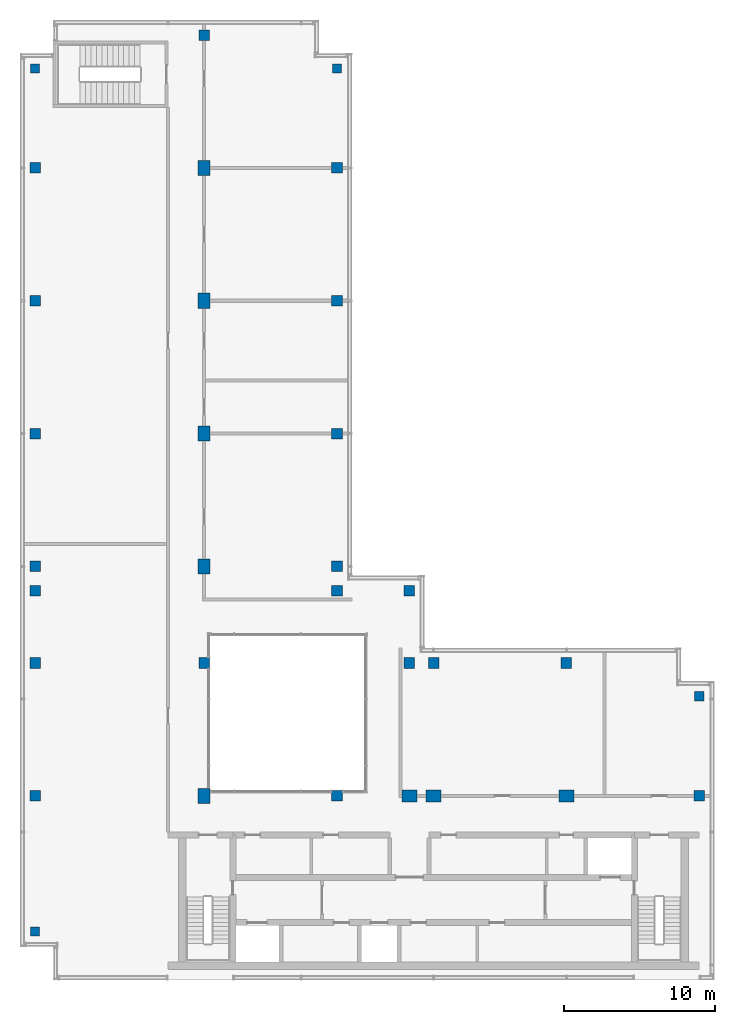
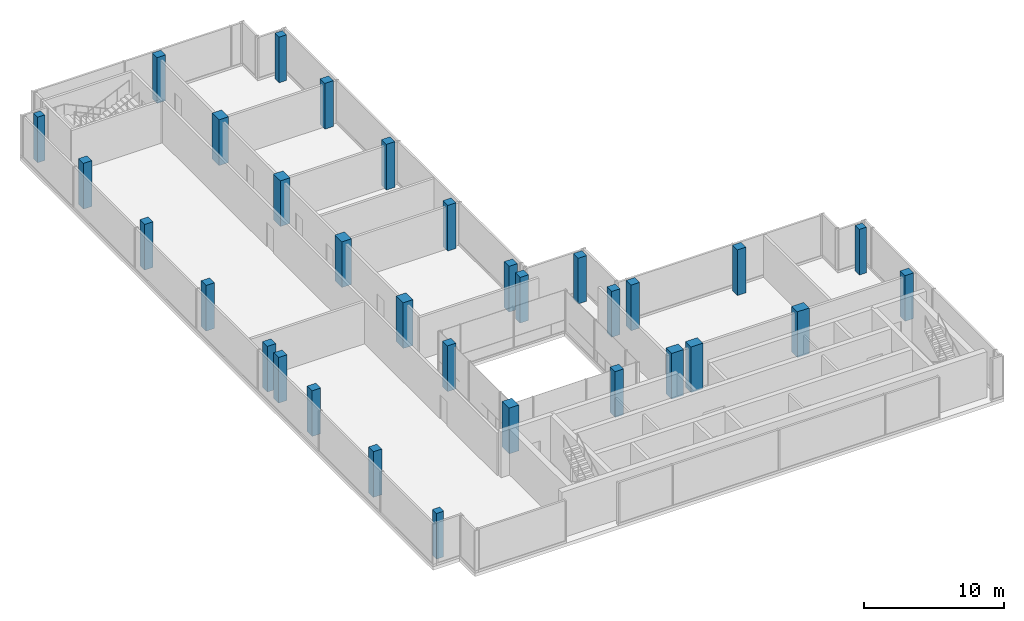
# One storey, part 1 of 10: 32 columns.
"""IFC4 building model written with IfcOpenShell, lengths in metres."""

from ifc_helpers import new_model, si_unit, direction, frame, origin, origin_2d, place, context, subcontext, project, spatial, rectangle, extrude, material, material_profile, profile_set, type_object, element, save


model = new_model("IFC4")

# Units and contexts
model_context = context("Model", 3, precision=1e-05, world=origin(), true_north=direction((0.0, 1.0)))
body_context = subcontext(model_context, "Body", "Model", "MODEL_VIEW")
ifc_project = project(units=[si_unit("LENGTHUNIT", "METRE"), si_unit("AREAUNIT", "SQUARE_METRE"), si_unit("VOLUMEUNIT", "CUBIC_METRE"), si_unit("PLANEANGLEUNIT", "RADIAN"), si_unit("MASSUNIT", "GRAM", prefix="KILO")], contexts=[model_context])

# Site, building, storey
site_placement = place(None, origin())
site = spatial("IfcSite", under=ifc_project, at=site_placement, CompositionType="ELEMENT")
building_placement = place(site_placement, origin())
building = spatial("IfcBuilding", under=site, at=building_placement, Name="Kemantara Hotel Tower", CompositionType="ELEMENT")
storey_placement = place(building_placement, frame((0.0, 0.0, 318.199951171875)))
storey = spatial("IfcBuildingStorey", under=building, at=storey_placement, Name="L80", CompositionType="ELEMENT", Elevation=318.199951171875)

# Columns
ifc_material = material(Name="Concrete fc 50 MPa", Category="concrete")
ifc_material_profile_1 = material_profile(ifc_material, rectangle(XDim=1.0, YDim=0.800048828125, at=origin_2d()), Name="RC 1000X800")
ifc_profile_set_1 = profile_set([ifc_material_profile_1], Name="Concrete fc 50 MPa")
column_type_1 = type_object("IfcColumnType", Name="RC COLUMN 1000X800 FC50", PredefinedType="COLUMN", material=ifc_profile_set_1)
for number, where, z_axis, x_axis, name in (
    (1, (12.199951171875, 12.199951171875, 0.0), (0.0, 0.0, 1.0), (0.0, 1.0, 0.0), "COLUMN 2A/BA L80"),
    (2, (12.199951171875, 27.39990234375, 0.0), (0.0, 0.0, 1.0), (0.0, 1.0, 0.0), "COLUMN 2A/D L80"),
    (3, (12.199951171875, 36.199951171875, 0.0), (0.0, 0.0, 1.0), (0.0, 1.0, 0.0), "COLUMN 2A/E L80"),
    (4, (12.199951171875, 45.0, 0.0), (0.0, 0.0, 1.0), (0.0, 1.0, 0.0), "COLUMN 2A/F L80"),
    (5, (12.199951171875, 53.800048828125, 0.0), (0.0, 0.0, 1.0), (0.0, 1.0, 0.0), "COLUMN 2A/G L80"),
    (6, (25.800048828125, 12.199951171875, 0.0), (0.0, 0.0, 1.0), (1.0, 0.0, 0.0), "COLUMN 3A/BA L80"),
    (7, (27.39990234375, 12.199951171875, 0.0), (0.0, 0.0, 1.0), (1.0, 0.0, 0.0), "COLUMN 4/BA L80"),
    (8, (36.199951171875, 12.199951171875, 0.0), (0.0, 0.0, 1.0), (1.0, 0.0, 0.0), "COLUMN 5/BA L80"),
):
    element("IfcColumn", number, at=place(storey_placement, frame(where, z_axis=z_axis, x_axis=x_axis)), inside=storey, type_object=column_type_1, Name=name, PredefinedType="COLUMN", context=body_context, shape_type="SweptSolid", body=[
        extrude(rectangle(XDim=1.0, YDim=0.800048828125, at=origin_2d()), origin(), (0.0, 0.0, 1.0), 4.0),
    ])
ifc_material_profile_2 = material_profile(ifc_material, rectangle(XDim=0.60009765625, YDim=0.60009765625, at=origin_2d()), Name="RC 600X600")
ifc_profile_set_2 = profile_set([ifc_material_profile_2], Name="Concrete fc 50 MPa")
column_type_2 = type_object("IfcColumnType", Name="RC COLUMN 600X600 FC50", PredefinedType="COLUMN", material=ifc_profile_set_2)
for number, where, z_axis, x_axis, name in (
    (9, (1.0, 3.199951171875, 0.0), (0.0, 0.0, 1.0), (1.0, 0.0, 0.0), "COLUMN notch corner L80"),
    (10, (1.0, 60.39990234375, 0.0), (0.0, 0.0, 1.0), (1.0, 0.0, 0.0), "COLUMN notch corner L80"),
    (11, (21.0, 60.39990234375, 0.0), (0.0, 0.0, 1.0), (1.0, 0.0, 0.0), "COLUMN notch corner L80"),
    (12, (45.0, 18.800048828125, 0.0), (0.0, 0.0, 1.0), (1.0, 0.0, 0.0), "COLUMN notch corner L80"),
):
    element("IfcColumn", number, at=place(storey_placement, frame(where, z_axis=z_axis, x_axis=x_axis)), inside=storey, type_object=column_type_2, Name=name, PredefinedType="COLUMN", context=body_context, shape_type="SweptSolid", body=[
        extrude(rectangle(XDim=0.60009765625, YDim=0.60009765625, at=origin_2d()), origin(), (0.0, 0.0, 1.0), 4.0),
    ])
ifc_material_profile_3 = material_profile(ifc_material, rectangle(XDim=0.699951171875, YDim=0.699951171875, at=origin_2d()), Name="RC 700X700")
ifc_profile_set_3 = profile_set([ifc_material_profile_3], Name="Concrete fc 50 MPa")
column_type_3 = type_object("IfcColumnType", Name="RC COLUMN 700X700 FC50", PredefinedType="COLUMN", material=ifc_profile_set_3)
for number, where, z_axis, x_axis, name in (
    (13, (1.0, 12.199951171875, 0.0), (0.0, 0.0, 1.0), (1.0, 0.0, 0.0), "COLUMN 1/BA L80"),
    (14, (1.0, 21.0, 0.0), (0.0, 0.0, 1.0), (1.0, 0.0, 0.0), "COLUMN 1/C L80"),
    (15, (1.0, 25.800048828125, 0.0), (0.0, 0.0, 1.0), (1.0, 0.0, 0.0), "COLUMN 1/CA L80"),
    (16, (1.0, 27.39990234375, 0.0), (0.0, 0.0, 1.0), (1.0, 0.0, 0.0), "COLUMN 1/D L80"),
    (17, (1.0, 36.199951171875, 0.0), (0.0, 0.0, 1.0), (1.0, 0.0, 0.0), "COLUMN 1/E L80"),
    (18, (1.0, 45.0, 0.0), (0.0, 0.0, 1.0), (1.0, 0.0, 0.0), "COLUMN 1/F L80"),
    (19, (1.0, 53.800048828125, 0.0), (0.0, 0.0, 1.0), (1.0, 0.0, 0.0), "COLUMN 1/G L80"),
    (20, (12.199951171875, 21.0, 0.0), (0.0, 0.0, 1.0), (1.0, 0.0, 0.0), "COLUMN 2A/C L80"),
    (21, (12.199951171875, 62.60009765625, 0.0), (0.0, 0.0, 1.0), (1.0, 0.0, 0.0), "COLUMN 2A/H L80"),
    (22, (21.0, 12.199951171875, 0.0), (0.0, 0.0, 1.0), (1.0, 0.0, 0.0), "COLUMN 3/BA L80"),
    (23, (21.0, 25.800048828125, 0.0), (0.0, 0.0, 1.0), (1.0, 0.0, 0.0), "COLUMN 3/CA L80"),
    (24, (21.0, 27.39990234375, 0.0), (0.0, 0.0, 1.0), (1.0, 0.0, 0.0), "COLUMN 3/D L80"),
    (25, (21.0, 36.199951171875, 0.0), (0.0, 0.0, 1.0), (1.0, 0.0, 0.0), "COLUMN 3/E L80"),
    (26, (21.0, 45.0, 0.0), (0.0, 0.0, 1.0), (1.0, 0.0, 0.0), "COLUMN 3/F L80"),
    (27, (21.0, 53.800048828125, 0.0), (0.0, 0.0, 1.0), (1.0, 0.0, 0.0), "COLUMN 3/G L80"),
    (28, (25.800048828125, 21.0, 0.0), (0.0, 0.0, 1.0), (1.0, 0.0, 0.0), "COLUMN 3A/C L80"),
    (29, (25.800048828125, 25.800048828125, 0.0), (0.0, 0.0, 1.0), (1.0, 0.0, 0.0), "COLUMN 3A/CA L80"),
    (30, (27.39990234375, 21.0, 0.0), (0.0, 0.0, 1.0), (1.0, 0.0, 0.0), "COLUMN 4/C L80"),
    (31, (36.199951171875, 21.0, 0.0), (0.0, 0.0, 1.0), (1.0, 0.0, 0.0), "COLUMN 5/C L80"),
    (32, (45.0, 12.199951171875, 0.0), (0.0, 0.0, 1.0), (1.0, 0.0, 0.0), "COLUMN 6/BA L80"),
):
    element("IfcColumn", number, at=place(storey_placement, frame(where, z_axis=z_axis, x_axis=x_axis)), inside=storey, type_object=column_type_3, Name=name, PredefinedType="COLUMN", context=body_context, shape_type="SweptSolid", body=[
        extrude(rectangle(XDim=0.699951171875, YDim=0.699951171875, at=origin_2d()), origin(), (0.0, 0.0, 1.0), 4.0),
    ])

save(model, "model.ifc")
